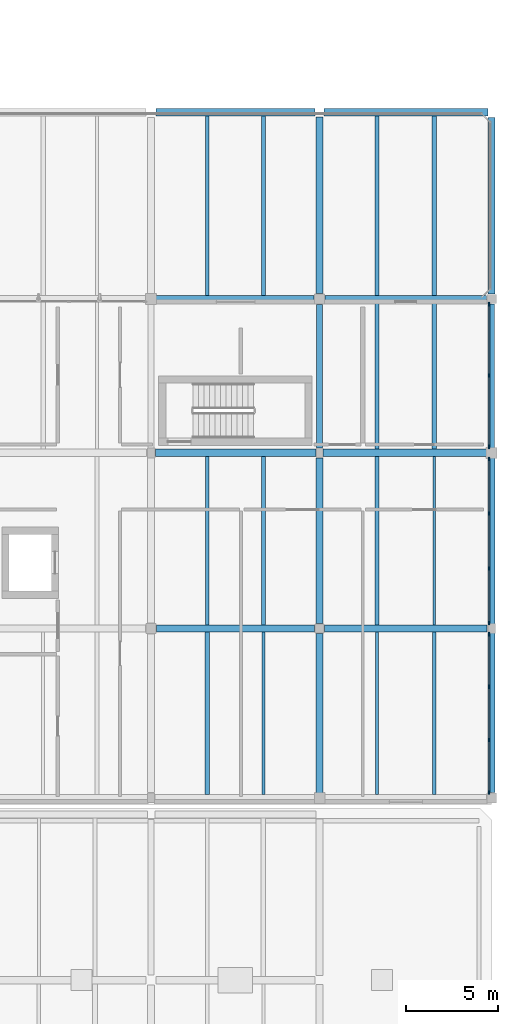
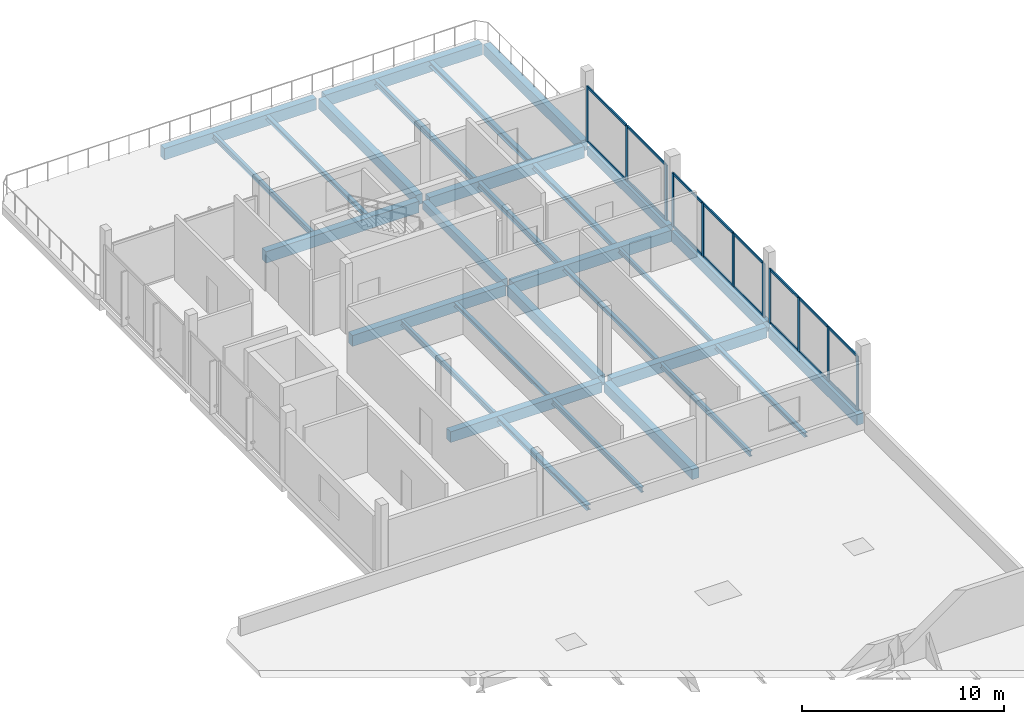
# One storey, part 17 of 41: 30 beams, 27 members, 3 elements without a shape of their own.
"""IFC4 building model written with IfcOpenShell, lengths in metres."""

from ifc_helpers import new_model, si_unit, direction, frame, origin, origin_2d, place, context, subcontext, project, spatial, rectangle, i_section, extrude, material, layer, layer_set, material_profile, profile_set, type_object, element, aggregate, save


model = new_model("IFC4")

# Units and contexts
model_context = context("Model", 3, precision=1e-05, world=origin(), true_north=direction((0.0, 1.0)))
body_context = subcontext(model_context, "Body", "Model", "MODEL_VIEW")
ifc_project = project(units=[si_unit("LENGTHUNIT", "METRE"), si_unit("AREAUNIT", "SQUARE_METRE"), si_unit("VOLUMEUNIT", "CUBIC_METRE"), si_unit("PLANEANGLEUNIT", "RADIAN"), si_unit("MASSUNIT", "GRAM", prefix="KILO")], contexts=[model_context])

# Site, building, storey
site_placement = place(None, origin())
site = spatial("IfcSite", under=ifc_project, at=site_placement, CompositionType="ELEMENT")
building_placement = place(site_placement, origin())
building = spatial("IfcBuilding", under=site, at=building_placement, Name="Birchvale Park Specialist Clinic", CompositionType="ELEMENT")
storey_placement = place(building_placement, frame((0.0, 0.0, 9.60009765625)))
storey = spatial("IfcBuildingStorey", under=building, at=storey_placement, Name="L02", CompositionType="ELEMENT", Elevation=9.60009765625)

# Beams
ifc_material_1 = material(Name="Concrete C40/50", Category="concrete")
ifc_material_profile_1 = material_profile(ifc_material_1, rectangle(XDim=0.39990234375, YDim=0.68994140625, at=origin_2d()), Name="RCB-400x690")
ifc_profile_set_1 = profile_set([ifc_material_profile_1], Name="Concrete C40/50")
beam_type_1 = type_object("IfcBeamType", Name="BM-EXT-BG4", PredefinedType="BEAM", material=ifc_profile_set_1)
beam_1_placement = place(storey_placement, frame((137.375, 91.199951171875, -0.655029296875), z_axis=(1.0, 0.0, 0.0), x_axis=(0.0, 1.0, 0.0)))
element("IfcBeam", 1, at=beam_1_placement, inside=storey, type_object=beam_type_1, Name="V6 L02 X girder 11", PredefinedType="BEAM", context=body_context, shape_type="SweptSolid", body=[
    extrude(rectangle(XDim=0.39990234375, YDim=0.68994140625, at=origin_2d()), origin(), (0.0, 0.0, 1.0), 8.72509765625),
])
beam_2_placement = place(storey_placement, frame((146.699951171875, 91.199951171875, -0.655029296875), z_axis=(1.0, 0.0, 0.0), x_axis=(0.0, 1.0, 0.0)))
element("IfcBeam", 2, at=beam_2_placement, inside=storey, type_object=beam_type_1, Name="V6 L02 X girder 12", PredefinedType="BEAM", context=body_context, shape_type="SweptSolid", body=[
    extrude(rectangle(XDim=0.39990234375, YDim=0.68994140625, at=origin_2d()), origin(), (0.0, 0.0, 1.0), 8.824951171875),
])
beam_3_placement = place(storey_placement, frame((137.47509765625, 101.39990234375, -0.655029296875), z_axis=(1.0, 0.0, 0.0), x_axis=(0.0, 1.0, 0.0)))
element("IfcBeam", 3, at=beam_3_placement, inside=storey, type_object=beam_type_1, Name="V6 L02 X girder 14", PredefinedType="BEAM", context=body_context, shape_type="SweptSolid", body=[
    extrude(rectangle(XDim=0.39990234375, YDim=0.68994140625, at=origin_2d()), origin(), (0.0, 0.0, 1.0), 8.6748046875),
])
beam_4_placement = place(storey_placement, frame((146.64990234375, 101.39990234375, -0.655029296875), z_axis=(1.0, 0.0, 0.0), x_axis=(0.0, 1.0, 0.0)))
element("IfcBeam", 4, at=beam_4_placement, inside=storey, type_object=beam_type_1, Name="V6 L02 X girder 15", PredefinedType="BEAM", context=body_context, shape_type="SweptSolid", body=[
    extrude(rectangle(XDim=0.39990234375, YDim=0.68994140625, at=origin_2d()), origin(), (0.0, 0.0, 1.0), 8.9501953125),
])
ifc_material_profile_2 = material_profile(ifc_material_1, rectangle(XDim=0.3798828125, YDim=0.639892578125, at=origin_2d()), Name="RCB-380x640")
ifc_profile_set_2 = profile_set([ifc_material_profile_2], Name="Concrete C40/50")
beam_type_2 = type_object("IfcBeamType", Name="BM-EXT-BG5", PredefinedType="BEAM", material=ifc_profile_set_2)
beam_5_placement = place(storey_placement, frame((155.800048828125, 64.239990234375, -0.6201171875), z_axis=(0.0, 1.0, 0.0), x_axis=(-1.0, 0.0, 0.0)))
element("IfcBeam", 5, at=beam_5_placement, inside=storey, type_object=beam_type_2, Name="V6 L02 Y girder 28", PredefinedType="BEAM", context=body_context, shape_type="SweptSolid", body=[
    extrude(rectangle(XDim=0.3798828125, YDim=0.639892578125, at=origin_2d()), origin(), (0.0, 0.0, 1.0), 8.7099609375),
])
beam_6_placement = place(storey_placement, frame((155.800048828125, 73.449951171875, -0.6201171875), z_axis=(0.0, 1.0, 0.0), x_axis=(-1.0, 0.0, 0.0)))
element("IfcBeam", 6, at=beam_6_placement, inside=storey, type_object=beam_type_2, Name="V6 L02 Y girder 29", PredefinedType="BEAM", context=body_context, shape_type="SweptSolid", body=[
    extrude(rectangle(XDim=0.3798828125, YDim=0.639892578125, at=origin_2d()), origin(), (0.0, 0.0, 1.0), 9.10009765625),
])
beam_7_placement = place(storey_placement, frame((155.800048828125, 91.47509765625, -0.630126953125), z_axis=(0.0, 1.0, 0.0), x_axis=(-1.0, 0.0, 0.0)))
element("IfcBeam", 7, at=beam_7_placement, inside=storey, type_object=beam_type_2, Name="V6 L02 Y girder 31", PredefinedType="BEAM", context=body_context, shape_type="SweptSolid", body=[
    extrude(rectangle(XDim=0.3798828125, YDim=0.639892578125, at=origin_2d()), origin(), (0.0, 0.0, 1.0), 9.64990234375),
])
ifc_material_profile_3 = material_profile(ifc_material_1, rectangle(XDim=0.320068359375, YDim=0.5400390625, at=origin_2d()), Name="RCB-320x540")
ifc_profile_set_3 = profile_set([ifc_material_profile_3], Name="Concrete C40/50")
beam_type_3 = type_object("IfcBeamType", Name="BM-EXT-BG7", PredefinedType="BEAM", material=ifc_profile_set_3)
beam_8_placement = place(storey_placement, frame((155.800048828125, 83.050048828125, -0.570068359375), z_axis=(0.0, 1.0, 0.0), x_axis=(-1.0, 0.0, 0.0)))
element("IfcBeam", 8, at=beam_8_placement, inside=storey, type_object=beam_type_3, Name="V6 L02 Y girder 30", PredefinedType="BEAM", context=body_context, shape_type="SweptSolid", body=[
    extrude(rectangle(XDim=0.320068359375, YDim=0.5400390625, at=origin_2d()), origin(), (0.0, 0.0, 1.0), 7.875),
])
ifc_material_profile_4 = material_profile(ifc_material_1, rectangle(XDim=0.419921875, YDim=0.679931640625, at=origin_2d()), Name="RCB-420x680")
ifc_profile_set_4 = profile_set([ifc_material_profile_4], Name="Concrete C40/50")
beam_type_4 = type_object("IfcBeamType", Name="BM-INT-BG3", PredefinedType="BEAM", material=ifc_profile_set_4)
beam_9_placement = place(storey_placement, frame((146.60009765625, 82.800048828125, -0.64013671875), z_axis=(1.0, 0.0, 0.0), x_axis=(0.0, 1.0, 0.0)))
element("IfcBeam", 9, at=beam_9_placement, inside=storey, type_object=beam_type_4, Name="V6 L02 X girder 9", PredefinedType="BEAM", context=body_context, shape_type="SweptSolid", body=[
    extrude(rectangle(XDim=0.419921875, YDim=0.679931640625, at=origin_2d()), origin(), (0.0, 0.0, 1.0), 9.02490234375),
])
ifc_material_profile_5 = material_profile(ifc_material_1, rectangle(XDim=0.39990234375, YDim=0.64990234375, at=origin_2d()), Name="RCB-400x650")
ifc_profile_set_5 = profile_set([ifc_material_profile_5], Name="Concrete C40/50")
beam_type_5 = type_object("IfcBeamType", Name="BM-INT-BG4", PredefinedType="BEAM", material=ifc_profile_set_5)
beam_10_placement = place(storey_placement, frame((137.5, 73.199951171875, -0.625), z_axis=(1.0, 0.0, 0.0), x_axis=(0.0, 1.0, 0.0)))
element("IfcBeam", 10, at=beam_10_placement, inside=storey, type_object=beam_type_5, Name="V6 L02 X girder 5", PredefinedType="BEAM", context=body_context, shape_type="SweptSolid", body=[
    extrude(rectangle(XDim=0.39990234375, YDim=0.64990234375, at=origin_2d()), origin(), (0.0, 0.0, 1.0), 8.625),
])
beam_11_placement = place(storey_placement, frame((146.675048828125, 73.199951171875, -0.625), z_axis=(1.0, 0.0, 0.0), x_axis=(0.0, 1.0, 0.0)))
element("IfcBeam", 11, at=beam_11_placement, inside=storey, type_object=beam_type_5, Name="V6 L02 X girder 6", PredefinedType="BEAM", context=body_context, shape_type="SweptSolid", body=[
    extrude(rectangle(XDim=0.39990234375, YDim=0.64990234375, at=origin_2d()), origin(), (0.0, 0.0, 1.0), 8.875),
])
beam_12_placement = place(storey_placement, frame((137.449951171875, 82.800048828125, -0.625), z_axis=(1.0, 0.0, 0.0), x_axis=(0.0, 1.0, 0.0)))
element("IfcBeam", 12, at=beam_12_placement, inside=storey, type_object=beam_type_5, Name="V6 L02 X girder 8", PredefinedType="BEAM", context=body_context, shape_type="SweptSolid", body=[
    extrude(rectangle(XDim=0.39990234375, YDim=0.64990234375, at=origin_2d()), origin(), (0.0, 0.0, 1.0), 8.75),
])
ifc_material_profile_6 = material_profile(ifc_material_1, rectangle(XDim=0.3798828125, YDim=0.60009765625, at=origin_2d()), Name="RCB-380x600")
ifc_profile_set_6 = profile_set([ifc_material_profile_6], Name="Concrete C40/50")
beam_type_6 = type_object("IfcBeamType", Name="BM-INT-BG5", PredefinedType="BEAM", material=ifc_profile_set_6)
beam_13_placement = place(storey_placement, frame((146.39990234375, 64.2099609375, -0.60009765625), z_axis=(0.0, 1.0, 0.0), x_axis=(-1.0, 0.0, 0.0)))
element("IfcBeam", 13, at=beam_13_placement, inside=storey, type_object=beam_type_6, Name="V6 L02 Y girder 24", PredefinedType="BEAM", context=body_context, shape_type="SweptSolid", body=[
    extrude(rectangle(XDim=0.3798828125, YDim=0.60009765625, at=origin_2d()), origin(), (0.0, 0.0, 1.0), 8.715087890625),
])
beam_14_placement = place(storey_placement, frame((146.39990234375, 73.47509765625, -0.60009765625), z_axis=(0.0, 1.0, 0.0), x_axis=(-1.0, 0.0, 0.0)))
element("IfcBeam", 14, at=beam_14_placement, inside=storey, type_object=beam_type_6, Name="V6 L02 Y girder 25", PredefinedType="BEAM", context=body_context, shape_type="SweptSolid", body=[
    extrude(rectangle(XDim=0.3798828125, YDim=0.60009765625, at=origin_2d()), origin(), (0.0, 0.0, 1.0), 9.0498046875),
])
beam_15_placement = place(storey_placement, frame((146.39990234375, 91.5, -0.610107421875), z_axis=(0.0, 1.0, 0.0), x_axis=(-1.0, 0.0, 0.0)))
element("IfcBeam", 15, at=beam_15_placement, inside=storey, type_object=beam_type_6, Name="V6 L02 Y girder 27", PredefinedType="BEAM", context=body_context, shape_type="SweptSolid", body=[
    extrude(rectangle(XDim=0.3798828125, YDim=0.60009765625, at=origin_2d()), origin(), (0.0, 0.0, 1.0), 9.64990234375),
])
ifc_material_profile_7 = material_profile(ifc_material_1, rectangle(XDim=0.320068359375, YDim=0.5, at=origin_2d()), Name="RCB-320x500")
ifc_profile_set_7 = profile_set([ifc_material_profile_7], Name="Concrete C40/50")
beam_type_7 = type_object("IfcBeamType", Name="BM-INT-BG7", PredefinedType="BEAM", material=ifc_profile_set_7)
beam_16_placement = place(storey_placement, frame((146.39990234375, 83.074951171875, -0.550048828125), z_axis=(0.0, 1.0, 0.0), x_axis=(-1.0, 0.0, 0.0)))
element("IfcBeam", 16, at=beam_16_placement, inside=storey, type_object=beam_type_7, Name="V6 L02 Y girder 26", PredefinedType="BEAM", context=body_context, shape_type="SweptSolid", body=[
    extrude(rectangle(XDim=0.320068359375, YDim=0.5, at=origin_2d()), origin(), (0.0, 0.0, 1.0), 7.824951171875),
])

# Curtain wall, members
ifc_material_2 = material(Name="Thermally broken anodised aluminium", Category="aluminium")
ifc_layer = layer(ifc_material_2, 0.2099609375)
ifc_layer_set = layer_set([ifc_layer], Name="Thermally broken anodised aluminium")
curtain_wall_type = type_object("IfcCurtainWallType", Name="CW-U3", PredefinedType="USERDEFINED", material=ifc_layer_set)
curtain_wall_1_placement = place(storey_placement, origin())
curtain_wall_1 = element("IfcCurtainWall", 17, at=curtain_wall_1_placement, inside=storey, type_object=curtain_wall_type, Name="V6 L02 glazed curtain wall 114", ObjectType="UNITISED", PredefinedType="USERDEFINED")
ifc_material_profile_8 = material_profile(ifc_material_2, rectangle(XDim=0.070068359375, YDim=0.199951171875, at=origin_2d()), Name="CWM-70x200")
ifc_profile_set_8 = profile_set([ifc_material_profile_8], Name="Thermally broken anodised aluminium")
member_type_1 = type_object("IfcMemberType", Name="CWM3", PredefinedType="MULLION", material=ifc_profile_set_8)
member_1_placement = place(storey_placement, frame((155.655029296875, 64.25, 0.0), z_axis=(0.0, 0.0, 1.0), x_axis=(-1.0, 0.0, 0.0)))
member_1 = element("IfcMember", 18, at=member_1_placement, type_object=member_type_1, Name="CW mullion 1", PredefinedType="MULLION", context=body_context, shape_type="SweptSolid", body=[
    extrude(rectangle(XDim=0.070068359375, YDim=0.199951171875, at=origin_2d()), origin(), (0.0, 0.0, 1.0), 3.27001953125),
])
member_2_placement = place(storey_placement, frame((155.655029296875, 67.118408203125, 0.0), z_axis=(0.0, 0.0, 1.0), x_axis=(-1.0, 0.0, 0.0)))
member_2 = element("IfcMember", 19, at=member_2_placement, type_object=member_type_1, Name="CW mullion 2", PredefinedType="MULLION", context=body_context, shape_type="SweptSolid", body=[
    extrude(rectangle(XDim=0.070068359375, YDim=0.199951171875, at=origin_2d()), origin(), (0.0, 0.0, 1.0), 3.27001953125),
])
member_3_placement = place(storey_placement, frame((155.655029296875, 70.021728515625, 0.0), z_axis=(0.0, 0.0, 1.0), x_axis=(-1.0, 0.0, 0.0)))
member_3 = element("IfcMember", 20, at=member_3_placement, type_object=member_type_1, Name="CW mullion 3", PredefinedType="MULLION", context=body_context, shape_type="SweptSolid", body=[
    extrude(rectangle(XDim=0.070068359375, YDim=0.199951171875, at=origin_2d()), origin(), (0.0, 0.0, 1.0), 3.27001953125),
])
member_4_placement = place(storey_placement, frame((155.655029296875, 72.889892578125, 0.0), z_axis=(0.0, 0.0, 1.0), x_axis=(-1.0, 0.0, 0.0)))
member_4 = element("IfcMember", 21, at=member_4_placement, type_object=member_type_1, Name="CW mullion 4", PredefinedType="MULLION", context=body_context, shape_type="SweptSolid", body=[
    extrude(rectangle(XDim=0.070068359375, YDim=0.199951171875, at=origin_2d()), origin(), (0.0, 0.0, 1.0), 3.27001953125),
])

curtain_wall_2_placement = place(storey_placement, origin())
curtain_wall_2 = element("IfcCurtainWall", 22, at=curtain_wall_2_placement, inside=storey, type_object=curtain_wall_type, Name="V6 L02 glazed curtain wall 115", ObjectType="UNITISED", PredefinedType="USERDEFINED")
member_5_placement = place(storey_placement, frame((155.655029296875, 73.510009765625, 0.0), z_axis=(0.0, 0.0, 1.0), x_axis=(-1.0, 0.0, 0.0)))
member_5 = element("IfcMember", 23, at=member_5_placement, type_object=member_type_1, Name="CW mullion 1", PredefinedType="MULLION", context=body_context, shape_type="SweptSolid", body=[
    extrude(rectangle(XDim=0.070068359375, YDim=0.199951171875, at=origin_2d()), origin(), (0.0, 0.0, 1.0), 3.23486328125),
])
member_6_placement = place(storey_placement, frame((155.655029296875, 76.4833984375, 0.0), z_axis=(0.0, 0.0, 1.0), x_axis=(-1.0, 0.0, 0.0)))
member_6 = element("IfcMember", 24, at=member_6_placement, type_object=member_type_1, Name="CW mullion 2", PredefinedType="MULLION", context=body_context, shape_type="SweptSolid", body=[
    extrude(rectangle(XDim=0.070068359375, YDim=0.199951171875, at=origin_2d()), origin(), (0.0, 0.0, 1.0), 3.23486328125),
])
member_7_placement = place(storey_placement, frame((155.655029296875, 79.49169921875, 0.0), z_axis=(0.0, 0.0, 1.0), x_axis=(-1.0, 0.0, 0.0)))
member_7 = element("IfcMember", 25, at=member_7_placement, type_object=member_type_1, Name="CW mullion 3", PredefinedType="MULLION", context=body_context, shape_type="SweptSolid", body=[
    extrude(rectangle(XDim=0.070068359375, YDim=0.199951171875, at=origin_2d()), origin(), (0.0, 0.0, 1.0), 3.23486328125),
])
member_8_placement = place(storey_placement, frame((155.655029296875, 82.465087890625, 0.0), z_axis=(0.0, 0.0, 1.0), x_axis=(-1.0, 0.0, 0.0)))
member_8 = element("IfcMember", 26, at=member_8_placement, type_object=member_type_1, Name="CW mullion 4", PredefinedType="MULLION", context=body_context, shape_type="SweptSolid", body=[
    extrude(rectangle(XDim=0.070068359375, YDim=0.199951171875, at=origin_2d()), origin(), (0.0, 0.0, 1.0), 3.23486328125),
])

curtain_wall_3_placement = place(storey_placement, origin())
curtain_wall_3 = element("IfcCurtainWall", 27, at=curtain_wall_3_placement, inside=storey, type_object=curtain_wall_type, Name="V6 L02 glazed curtain wall 116", ObjectType="UNITISED", PredefinedType="USERDEFINED")
member_9_placement = place(storey_placement, frame((155.655029296875, 83.135009765625, 0.0), z_axis=(0.0, 0.0, 1.0), x_axis=(-1.0, 0.0, 0.0)))
member_9 = element("IfcMember", 28, at=member_9_placement, type_object=member_type_1, Name="CW mullion 1", PredefinedType="MULLION", context=body_context, shape_type="SweptSolid", body=[
    extrude(rectangle(XDim=0.070068359375, YDim=0.199951171875, at=origin_2d()), origin(), (0.0, 0.0, 1.0), 3.3349609375),
])
member_10_placement = place(storey_placement, frame((155.655029296875, 87.02490234375, 0.0), z_axis=(0.0, 0.0, 1.0), x_axis=(-1.0, 0.0, 0.0)))
member_10 = element("IfcMember", 29, at=member_10_placement, type_object=member_type_1, Name="CW mullion 2", PredefinedType="MULLION", context=body_context, shape_type="SweptSolid", body=[
    extrude(rectangle(XDim=0.070068359375, YDim=0.199951171875, at=origin_2d()), origin(), (0.0, 0.0, 1.0), 3.3349609375),
])
member_11_placement = place(storey_placement, frame((155.655029296875, 90.9150390625, 0.0), z_axis=(0.0, 0.0, 1.0), x_axis=(-1.0, 0.0, 0.0)))
member_11 = element("IfcMember", 30, at=member_11_placement, type_object=member_type_1, Name="CW mullion 3", PredefinedType="MULLION", context=body_context, shape_type="SweptSolid", body=[
    extrude(rectangle(XDim=0.070068359375, YDim=0.199951171875, at=origin_2d()), origin(), (0.0, 0.0, 1.0), 3.3349609375),
])

# Member
ifc_material_profile_9 = material_profile(ifc_material_2, rectangle(XDim=0.070068359375, YDim=0.14990234375, at=origin_2d()), Name="CWT-70x150")
ifc_profile_set_9 = profile_set([ifc_material_profile_9], Name="Thermally broken anodised aluminium")
member_type_2 = type_object("IfcMemberType", Name="CWT3", PredefinedType="USERDEFINED", material=ifc_profile_set_9)
member_12_placement = place(storey_placement, frame((155.655029296875, 64.284912109375, 0.034912109375), z_axis=(0.0, 1.0, 0.0), x_axis=(-1.0, 0.0, 0.0)))
member_12 = element("IfcMember", 31, at=member_12_placement, type_object=member_type_2, Name="CW transom 1.1", ObjectType="TRANSOM", PredefinedType="USERDEFINED", context=body_context, shape_type="SweptSolid", body=[
    extrude(rectangle(XDim=0.070068359375, YDim=0.14990234375, at=origin_2d()), origin(), (0.0, 0.0, 1.0), 2.79833984375),
])

member_13_placement = place(storey_placement, frame((155.655029296875, 64.284912109375, 3.23486328125), z_axis=(0.0, 1.0, 0.0), x_axis=(-1.0, 0.0, 0.0)))
member_13 = element("IfcMember", 32, at=member_13_placement, type_object=member_type_2, Name="CW transom 1.2", ObjectType="TRANSOM", PredefinedType="USERDEFINED", context=body_context, shape_type="SweptSolid", body=[
    extrude(rectangle(XDim=0.070068359375, YDim=0.14990234375, at=origin_2d()), origin(), (0.0, 0.0, 1.0), 2.79833984375),
])

member_14_placement = place(storey_placement, frame((155.655029296875, 67.1533203125, 0.034912109375), z_axis=(0.0, 1.0, 0.0), x_axis=(-1.0, 0.0, 0.0)))
member_14 = element("IfcMember", 33, at=member_14_placement, type_object=member_type_2, Name="CW transom 2.1", ObjectType="TRANSOM", PredefinedType="USERDEFINED", context=body_context, shape_type="SweptSolid", body=[
    extrude(rectangle(XDim=0.070068359375, YDim=0.14990234375, at=origin_2d()), origin(), (0.0, 0.0, 1.0), 2.833251953125),
])

member_15_placement = place(storey_placement, frame((155.655029296875, 67.1533203125, 3.23486328125), z_axis=(0.0, 1.0, 0.0), x_axis=(-1.0, 0.0, 0.0)))
member_15 = element("IfcMember", 34, at=member_15_placement, type_object=member_type_2, Name="CW transom 2.2", ObjectType="TRANSOM", PredefinedType="USERDEFINED", context=body_context, shape_type="SweptSolid", body=[
    extrude(rectangle(XDim=0.070068359375, YDim=0.14990234375, at=origin_2d()), origin(), (0.0, 0.0, 1.0), 2.833251953125),
])

member_16_placement = place(storey_placement, frame((155.655029296875, 70.056640625, 0.034912109375), z_axis=(0.0, 1.0, 0.0), x_axis=(-1.0, 0.0, 0.0)))
member_16 = element("IfcMember", 35, at=member_16_placement, type_object=member_type_2, Name="CW transom 3.1", ObjectType="TRANSOM", PredefinedType="USERDEFINED", context=body_context, shape_type="SweptSolid", body=[
    extrude(rectangle(XDim=0.070068359375, YDim=0.14990234375, at=origin_2d()), origin(), (0.0, 0.0, 1.0), 2.79833984375),
])

member_17_placement = place(storey_placement, frame((155.655029296875, 70.056640625, 3.23486328125), z_axis=(0.0, 1.0, 0.0), x_axis=(-1.0, 0.0, 0.0)))
member_17 = element("IfcMember", 36, at=member_17_placement, type_object=member_type_2, Name="CW transom 3.2", ObjectType="TRANSOM", PredefinedType="USERDEFINED", context=body_context, shape_type="SweptSolid", body=[
    extrude(rectangle(XDim=0.070068359375, YDim=0.14990234375, at=origin_2d()), origin(), (0.0, 0.0, 1.0), 2.79833984375),
])

aggregate(curtain_wall_1, [member_1, member_2, member_3, member_4, member_12, member_13, member_14, member_15, member_16, member_17])

member_18_placement = place(storey_placement, frame((155.655029296875, 73.544921875, 0.034912109375), z_axis=(0.0, 1.0, 0.0), x_axis=(-1.0, 0.0, 0.0)))
member_18 = element("IfcMember", 37, at=member_18_placement, type_object=member_type_2, Name="CW transom 1.1", ObjectType="TRANSOM", PredefinedType="USERDEFINED", context=body_context, shape_type="SweptSolid", body=[
    extrude(rectangle(XDim=0.070068359375, YDim=0.14990234375, at=origin_2d()), origin(), (0.0, 0.0, 1.0), 2.9033203125),
])

member_19_placement = place(storey_placement, frame((155.655029296875, 73.544921875, 3.199951171875), z_axis=(0.0, 1.0, 0.0), x_axis=(-1.0, 0.0, 0.0)))
member_19 = element("IfcMember", 38, at=member_19_placement, type_object=member_type_2, Name="CW transom 1.2", ObjectType="TRANSOM", PredefinedType="USERDEFINED", context=body_context, shape_type="SweptSolid", body=[
    extrude(rectangle(XDim=0.070068359375, YDim=0.14990234375, at=origin_2d()), origin(), (0.0, 0.0, 1.0), 2.9033203125),
])

member_20_placement = place(storey_placement, frame((155.655029296875, 76.518310546875, 0.034912109375), z_axis=(0.0, 1.0, 0.0), x_axis=(-1.0, 0.0, 0.0)))
member_20 = element("IfcMember", 39, at=member_20_placement, type_object=member_type_2, Name="CW transom 2.1", ObjectType="TRANSOM", PredefinedType="USERDEFINED", context=body_context, shape_type="SweptSolid", body=[
    extrude(rectangle(XDim=0.070068359375, YDim=0.14990234375, at=origin_2d()), origin(), (0.0, 0.0, 1.0), 2.9384765625),
])

member_21_placement = place(storey_placement, frame((155.655029296875, 76.518310546875, 3.199951171875), z_axis=(0.0, 1.0, 0.0), x_axis=(-1.0, 0.0, 0.0)))
member_21 = element("IfcMember", 40, at=member_21_placement, type_object=member_type_2, Name="CW transom 2.2", ObjectType="TRANSOM", PredefinedType="USERDEFINED", context=body_context, shape_type="SweptSolid", body=[
    extrude(rectangle(XDim=0.070068359375, YDim=0.14990234375, at=origin_2d()), origin(), (0.0, 0.0, 1.0), 2.9384765625),
])

member_22_placement = place(storey_placement, frame((155.655029296875, 79.526611328125, 0.034912109375), z_axis=(0.0, 1.0, 0.0), x_axis=(-1.0, 0.0, 0.0)))
member_22 = element("IfcMember", 41, at=member_22_placement, type_object=member_type_2, Name="CW transom 3.1", ObjectType="TRANSOM", PredefinedType="USERDEFINED", context=body_context, shape_type="SweptSolid", body=[
    extrude(rectangle(XDim=0.070068359375, YDim=0.14990234375, at=origin_2d()), origin(), (0.0, 0.0, 1.0), 2.9033203125),
])

member_23_placement = place(storey_placement, frame((155.655029296875, 79.526611328125, 3.199951171875), z_axis=(0.0, 1.0, 0.0), x_axis=(-1.0, 0.0, 0.0)))
member_23 = element("IfcMember", 42, at=member_23_placement, type_object=member_type_2, Name="CW transom 3.2", ObjectType="TRANSOM", PredefinedType="USERDEFINED", context=body_context, shape_type="SweptSolid", body=[
    extrude(rectangle(XDim=0.070068359375, YDim=0.14990234375, at=origin_2d()), origin(), (0.0, 0.0, 1.0), 2.9033203125),
])

aggregate(curtain_wall_2, [member_5, member_6, member_7, member_8, member_18, member_19, member_20, member_21, member_22, member_23])

member_24_placement = place(storey_placement, frame((155.655029296875, 83.169921875, 0.034912109375), z_axis=(0.0, 1.0, 0.0), x_axis=(-1.0, 0.0, 0.0)))
member_24 = element("IfcMember", 43, at=member_24_placement, type_object=member_type_2, Name="CW transom 1.1", ObjectType="TRANSOM", PredefinedType="USERDEFINED", context=body_context, shape_type="SweptSolid", body=[
    extrude(rectangle(XDim=0.070068359375, YDim=0.14990234375, at=origin_2d()), origin(), (0.0, 0.0, 1.0), 3.820068359375),
])

member_25_placement = place(storey_placement, frame((155.655029296875, 83.169921875, 3.2998046875), z_axis=(0.0, 1.0, 0.0), x_axis=(-1.0, 0.0, 0.0)))
member_25 = element("IfcMember", 44, at=member_25_placement, type_object=member_type_2, Name="CW transom 1.2", ObjectType="TRANSOM", PredefinedType="USERDEFINED", context=body_context, shape_type="SweptSolid", body=[
    extrude(rectangle(XDim=0.070068359375, YDim=0.14990234375, at=origin_2d()), origin(), (0.0, 0.0, 1.0), 3.820068359375),
])

member_26_placement = place(storey_placement, frame((155.655029296875, 87.06005859375, 0.034912109375), z_axis=(0.0, 1.0, 0.0), x_axis=(-1.0, 0.0, 0.0)))
member_26 = element("IfcMember", 45, at=member_26_placement, type_object=member_type_2, Name="CW transom 2.1", ObjectType="TRANSOM", PredefinedType="USERDEFINED", context=body_context, shape_type="SweptSolid", body=[
    extrude(rectangle(XDim=0.070068359375, YDim=0.14990234375, at=origin_2d()), origin(), (0.0, 0.0, 1.0), 3.81982421875),
])

member_27_placement = place(storey_placement, frame((155.655029296875, 87.06005859375, 3.2998046875), z_axis=(0.0, 1.0, 0.0), x_axis=(-1.0, 0.0, 0.0)))
member_27 = element("IfcMember", 46, at=member_27_placement, type_object=member_type_2, Name="CW transom 2.2", ObjectType="TRANSOM", PredefinedType="USERDEFINED", context=body_context, shape_type="SweptSolid", body=[
    extrude(rectangle(XDim=0.070068359375, YDim=0.14990234375, at=origin_2d()), origin(), (0.0, 0.0, 1.0), 3.81982421875),
])

aggregate(curtain_wall_3, [member_9, member_10, member_11, member_24, member_25, member_26, member_27])

# Beams
ifc_material_3 = material(Name="Steel ASTM A992 Grade 50", Category="steel")
ifc_material_profile_10 = material_profile(ifc_material_3, i_section(OverallWidth=0.2041015625, OverallDepth=0.35107421875, WebThickness=0.008544921875, FlangeThickness=0.01513671875, at=origin_2d()), Name="W14X48")
ifc_profile_set_10 = profile_set([ifc_material_profile_10], Name="Steel ASTM A992 Grade 50")
beam_type_8 = type_object("IfcBeamType", Name="STL-INT-SJ1", PredefinedType="JOIST", material=ifc_profile_set_10)
beam_17_placement = place(storey_placement, frame((149.533203125, 83.010009765625, -0.4755859375), z_axis=(0.0, 1.0, 0.0), x_axis=(-1.0, 0.0, 0.0)))
element("IfcBeam", 47, at=beam_17_placement, inside=storey, type_object=beam_type_8, Name="V6 L02 secondary floor joist 18", PredefinedType="JOIST", context=body_context, shape_type="SweptSolid", body=[
    extrude(i_section(OverallWidth=0.2041015625, OverallDepth=0.35107421875, WebThickness=0.008544921875, FlangeThickness=0.01513671875, at=origin_2d()), origin(), (0.0, 0.0, 1.0), 7.989990234375),
])
beam_18_placement = place(storey_placement, frame((149.533203125, 91.39990234375, -0.485595703125), z_axis=(0.0, 1.0, 0.0), x_axis=(-1.0, 0.0, 0.0)))
element("IfcBeam", 48, at=beam_18_placement, inside=storey, type_object=beam_type_8, Name="V6 L02 secondary floor joist 20", PredefinedType="JOIST", context=body_context, shape_type="SweptSolid", body=[
    extrude(i_section(OverallWidth=0.2041015625, OverallDepth=0.35107421875, WebThickness=0.008544921875, FlangeThickness=0.01513671875, at=origin_2d()), origin(), (0.0, 0.0, 1.0), 9.800048828125),
])
ifc_material_profile_11 = material_profile(ifc_material_3, i_section(OverallWidth=0.25390625, OverallDepth=0.305908203125, WebThickness=0.0087890625, FlangeThickness=0.0146484375, at=origin_2d()), Name="W12X53")
ifc_profile_set_11 = profile_set([ifc_material_profile_11], Name="Steel ASTM A992 Grade 50")
beam_type_9 = type_object("IfcBeamType", Name="STL-INT-SJ2", PredefinedType="JOIST", material=ifc_profile_set_11)
beam_19_placement = place(storey_placement, frame((140.2666015625, 64.14990234375, -0.453125), z_axis=(0.0, 1.0, 0.0), x_axis=(-1.0, 0.0, 0.0)))
element("IfcBeam", 49, at=beam_19_placement, inside=storey, type_object=beam_type_9, Name="V6 L02 secondary floor joist 8", PredefinedType="JOIST", context=body_context, shape_type="SweptSolid", body=[
    extrude(i_section(OverallWidth=0.25390625, OverallDepth=0.305908203125, WebThickness=0.0087890625, FlangeThickness=0.0146484375, at=origin_2d()), origin(), (0.0, 0.0, 1.0), 8.85009765625),
])
beam_20_placement = place(storey_placement, frame((152.666748046875, 83.010009765625, -0.453125), z_axis=(0.0, 1.0, 0.0), x_axis=(-1.0, 0.0, 0.0)))
element("IfcBeam", 50, at=beam_20_placement, inside=storey, type_object=beam_type_9, Name="V6 L02 secondary floor joist 19", PredefinedType="JOIST", context=body_context, shape_type="SweptSolid", body=[
    extrude(i_section(OverallWidth=0.25390625, OverallDepth=0.305908203125, WebThickness=0.0087890625, FlangeThickness=0.0146484375, at=origin_2d()), origin(), (0.0, 0.0, 1.0), 7.989990234375),
])
beam_21_placement = place(storey_placement, frame((152.666748046875, 91.39990234375, -0.463134765625), z_axis=(0.0, 1.0, 0.0), x_axis=(-1.0, 0.0, 0.0)))
element("IfcBeam", 51, at=beam_21_placement, inside=storey, type_object=beam_type_9, Name="V6 L02 secondary floor joist 21", PredefinedType="JOIST", context=body_context, shape_type="SweptSolid", body=[
    extrude(i_section(OverallWidth=0.25390625, OverallDepth=0.305908203125, WebThickness=0.0087890625, FlangeThickness=0.0146484375, at=origin_2d()), origin(), (0.0, 0.0, 1.0), 9.800048828125),
])
ifc_material_profile_12 = material_profile(ifc_material_3, i_section(OverallWidth=0.1669921875, OverallDepth=0.31689453125, WebThickness=0.007568359375, FlangeThickness=0.01318359375, at=origin_2d()), Name="W12X35")
ifc_profile_set_12 = profile_set([ifc_material_profile_12], Name="Steel ASTM A992 Grade 50")
beam_type_10 = type_object("IfcBeamType", Name="STL-INT-SJ3", PredefinedType="JOIST", material=ifc_profile_set_12)
beam_22_placement = place(storey_placement, frame((143.333251953125, 64.14990234375, -0.45849609375), z_axis=(0.0, 1.0, 0.0), x_axis=(-1.0, 0.0, 0.0)))
element("IfcBeam", 52, at=beam_22_placement, inside=storey, type_object=beam_type_10, Name="V6 L02 secondary floor joist 9", PredefinedType="JOIST", context=body_context, shape_type="SweptSolid", body=[
    extrude(i_section(OverallWidth=0.1669921875, OverallDepth=0.31689453125, WebThickness=0.007568359375, FlangeThickness=0.01318359375, at=origin_2d()), origin(), (0.0, 0.0, 1.0), 8.85009765625),
])
beam_23_placement = place(storey_placement, frame((140.2666015625, 73.39990234375, -0.45849609375), z_axis=(0.0, 1.0, 0.0), x_axis=(-1.0, 0.0, 0.0)))
element("IfcBeam", 53, at=beam_23_placement, inside=storey, type_object=beam_type_10, Name="V6 L02 secondary floor joist 10", PredefinedType="JOIST", context=body_context, shape_type="SweptSolid", body=[
    extrude(i_section(OverallWidth=0.1669921875, OverallDepth=0.31689453125, WebThickness=0.007568359375, FlangeThickness=0.01318359375, at=origin_2d()), origin(), (0.0, 0.0, 1.0), 9.2001953125),
])
beam_24_placement = place(storey_placement, frame((140.2666015625, 91.39990234375, -0.468505859375), z_axis=(0.0, 1.0, 0.0), x_axis=(-1.0, 0.0, 0.0)))
element("IfcBeam", 54, at=beam_24_placement, inside=storey, type_object=beam_type_10, Name="V6 L02 secondary floor joist 12", PredefinedType="JOIST", context=body_context, shape_type="SweptSolid", body=[
    extrude(i_section(OverallWidth=0.1669921875, OverallDepth=0.31689453125, WebThickness=0.007568359375, FlangeThickness=0.01318359375, at=origin_2d()), origin(), (0.0, 0.0, 1.0), 9.800048828125),
])
beam_25_placement = place(storey_placement, frame((149.533203125, 64.14990234375, -0.45849609375), z_axis=(0.0, 1.0, 0.0), x_axis=(-1.0, 0.0, 0.0)))
element("IfcBeam", 55, at=beam_25_placement, inside=storey, type_object=beam_type_10, Name="V6 L02 secondary floor joist 14", PredefinedType="JOIST", context=body_context, shape_type="SweptSolid", body=[
    extrude(i_section(OverallWidth=0.1669921875, OverallDepth=0.31689453125, WebThickness=0.007568359375, FlangeThickness=0.01318359375, at=origin_2d()), origin(), (0.0, 0.0, 1.0), 8.85009765625),
])
ifc_material_profile_13 = material_profile(ifc_material_3, i_section(OverallWidth=0.202880859375, OverallDepth=0.251953125, WebThickness=0.008056640625, FlangeThickness=0.013427734375, at=origin_2d()), Name="W10X39")
ifc_profile_set_13 = profile_set([ifc_material_profile_13], Name="Steel ASTM A992 Grade 50")
beam_type_11 = type_object("IfcBeamType", Name="STL-INT-SJ4", PredefinedType="JOIST", material=ifc_profile_set_13)
beam_26_placement = place(storey_placement, frame((143.333251953125, 73.39990234375, -0.426025390625), z_axis=(0.0, 1.0, 0.0), x_axis=(-1.0, 0.0, 0.0)))
element("IfcBeam", 56, at=beam_26_placement, inside=storey, type_object=beam_type_11, Name="V6 L02 secondary floor joist 11", PredefinedType="JOIST", context=body_context, shape_type="SweptSolid", body=[
    extrude(i_section(OverallWidth=0.202880859375, OverallDepth=0.251953125, WebThickness=0.008056640625, FlangeThickness=0.013427734375, at=origin_2d()), origin(), (0.0, 0.0, 1.0), 9.2001953125),
])
beam_27_placement = place(storey_placement, frame((143.333251953125, 91.39990234375, -0.43603515625), z_axis=(0.0, 1.0, 0.0), x_axis=(-1.0, 0.0, 0.0)))
element("IfcBeam", 57, at=beam_27_placement, inside=storey, type_object=beam_type_11, Name="V6 L02 secondary floor joist 13", PredefinedType="JOIST", context=body_context, shape_type="SweptSolid", body=[
    extrude(i_section(OverallWidth=0.202880859375, OverallDepth=0.251953125, WebThickness=0.008056640625, FlangeThickness=0.013427734375, at=origin_2d()), origin(), (0.0, 0.0, 1.0), 9.800048828125),
])
beam_28_placement = place(storey_placement, frame((152.666748046875, 64.14990234375, -0.426025390625), z_axis=(0.0, 1.0, 0.0), x_axis=(-1.0, 0.0, 0.0)))
element("IfcBeam", 58, at=beam_28_placement, inside=storey, type_object=beam_type_11, Name="V6 L02 secondary floor joist 15", PredefinedType="JOIST", context=body_context, shape_type="SweptSolid", body=[
    extrude(i_section(OverallWidth=0.202880859375, OverallDepth=0.251953125, WebThickness=0.008056640625, FlangeThickness=0.013427734375, at=origin_2d()), origin(), (0.0, 0.0, 1.0), 8.85009765625),
])
beam_29_placement = place(storey_placement, frame((149.533203125, 73.39990234375, -0.426025390625), z_axis=(0.0, 1.0, 0.0), x_axis=(-1.0, 0.0, 0.0)))
element("IfcBeam", 59, at=beam_29_placement, inside=storey, type_object=beam_type_11, Name="V6 L02 secondary floor joist 16", PredefinedType="JOIST", context=body_context, shape_type="SweptSolid", body=[
    extrude(i_section(OverallWidth=0.202880859375, OverallDepth=0.251953125, WebThickness=0.008056640625, FlangeThickness=0.013427734375, at=origin_2d()), origin(), (0.0, 0.0, 1.0), 9.190185546875),
])
ifc_material_profile_14 = material_profile(ifc_material_3, i_section(OverallWidth=0.14697265625, OverallDepth=0.261962890625, WebThickness=0.006591796875, FlangeThickness=0.01123046875, at=origin_2d()), Name="W10X26")
ifc_profile_set_14 = profile_set([ifc_material_profile_14], Name="Steel ASTM A992 Grade 50")
beam_type_12 = type_object("IfcBeamType", Name="STL-INT-SJ5", PredefinedType="JOIST", material=ifc_profile_set_14)
beam_30_placement = place(storey_placement, frame((152.666748046875, 73.39990234375, -0.43115234375), z_axis=(0.0, 1.0, 0.0), x_axis=(-1.0, 0.0, 0.0)))
element("IfcBeam", 60, at=beam_30_placement, inside=storey, type_object=beam_type_12, Name="V6 L02 secondary floor joist 17", PredefinedType="JOIST", context=body_context, shape_type="SweptSolid", body=[
    extrude(i_section(OverallWidth=0.14697265625, OverallDepth=0.261962890625, WebThickness=0.006591796875, FlangeThickness=0.01123046875, at=origin_2d()), origin(), (0.0, 0.0, 1.0), 9.190185546875),
])

save(model, "model.ifc")
